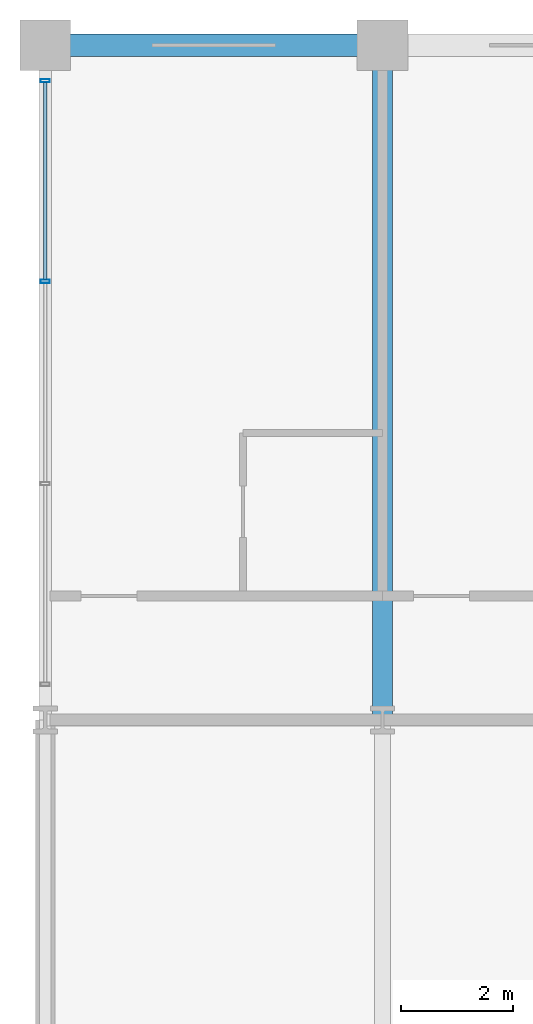
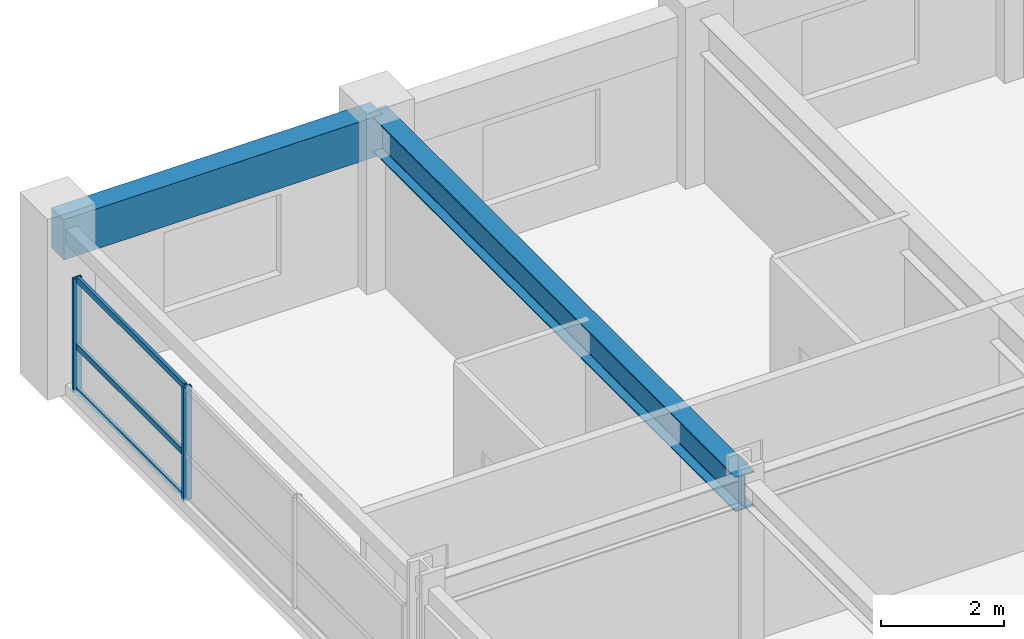
# One storey, part 10 of 24: 5 members, 2 beams, 1 element without a shape of its own.
"""IFC4 building model written with IfcOpenShell, lengths in metres."""

from ifc_helpers import new_model, si_unit, direction, frame, origin, origin_2d, place, context, subcontext, project, spatial, rectangle, hollow_rectangle, i_section, extrude, material, material_profile, profile_set, type_object, element, aggregate, save


model = new_model("IFC4")

# Units and contexts
model_context = context("Model", 3, precision=1e-05, world=origin(), true_north=direction((0.0, 1.0)))
body_context = subcontext(model_context, "Body", "Model", "MODEL_VIEW")
ifc_project = project(units=[si_unit("LENGTHUNIT", "METRE"), si_unit("AREAUNIT", "SQUARE_METRE"), si_unit("VOLUMEUNIT", "CUBIC_METRE"), si_unit("PLANEANGLEUNIT", "RADIAN"), si_unit("MASSUNIT", "GRAM", prefix="KILO")], contexts=[model_context])

# Site, building, storey
site_placement = place(None, origin())
site = spatial("IfcSite", under=ifc_project, at=site_placement, CompositionType="ELEMENT")
building_placement = place(site_placement, origin())
building = spatial("IfcBuilding", under=site, at=building_placement, Name="Kaldorvane Square Convention Centre", CompositionType="ELEMENT")
storey_placement = place(building_placement, frame((0.0, 0.0, 27.600006103515625)))
storey = spatial("IfcBuildingStorey", under=building, at=storey_placement, Name="L05", CompositionType="ELEMENT", Elevation=27.600006103515625)

# Beams
ifc_material_1 = material(Name="Steel ASTM A992 Gr. 50", Category="steel")
ifc_material_profile_1 = material_profile(ifc_material_1, i_section(OverallWidth=0.354705810546875, OverallDepth=0.69549560546875, WebThickness=0.0153961181640625, FlangeThickness=0.0251007080078125, FilletRadius=0.01519775390625, at=origin_2d()), Name="W27X146")
ifc_profile_set_1 = profile_set([ifc_material_profile_1], Name="Steel ASTM A992 Gr. 50")
beam_type_1 = type_object("IfcBeamType", Name="BM-GR-W27X146", PredefinedType="BEAM", material=ifc_profile_set_1)
beam_1_placement = place(storey_placement, frame((30.0, 105.0, 2.93829345703125), z_axis=(0.0, 1.0, 0.0), x_axis=(-1.0, 0.0, 0.0)))
element("IfcBeam", 1, at=beam_1_placement, inside=storey, type_object=beam_type_1, Name="Transverse Girder (L05)", PredefinedType="BEAM", context=body_context, shape_type="SweptSolid", body=[
    extrude(i_section(OverallWidth=0.354705810546875, OverallDepth=0.69549560546875, WebThickness=0.0153961181640625, FlangeThickness=0.0251007080078125, FilletRadius=0.01519775390625, at=origin_2d()), origin(), (0.0, 0.0, 1.0), 12.0),
])
ifc_material_2 = material(Name="Concrete f'c = 42 MPa (Normalweight)", Category="concrete")
ifc_material_profile_2 = material_profile(ifc_material_2, rectangle(XDim=0.399993896484375, YDim=0.8000030517578125, at=origin_2d()), Name="RCSP800X400")
ifc_profile_set_2 = profile_set([ifc_material_profile_2], Name="Concrete f'c = 42 MPa (Normalweight)")
beam_type_2 = type_object("IfcBeamType", Name="BM-SP-RC800", PredefinedType="SPANDREL", material=ifc_profile_set_2)
beam_2_placement = place(storey_placement, frame((24.0, 117.0, 2.885986328125), z_axis=(1.0, 0.0, 0.0), x_axis=(0.0, 1.0, 0.0)))
element("IfcBeam", 2, at=beam_2_placement, inside=storey, type_object=beam_type_2, Name="Perimeter Spandrel (L05)", PredefinedType="SPANDREL", context=body_context, shape_type="SweptSolid", body=[
    extrude(rectangle(XDim=0.399993896484375, YDim=0.8000030517578125, at=origin_2d()), origin(), (0.0, 0.0, 1.0), 6.0),
])

# Curtain wall, members
ifc_material_3 = material(Name="Anodized Aluminum and Low-E Insulated Glazing", Category="aluminium")
curtain_wall_type = type_object("IfcCurtainWallType", Name="CW-UNI-HTL-B", PredefinedType="USERDEFINED", material=ifc_material_3)
curtain_wall_placement = place(storey_placement, origin())
curtain_wall = element("IfcCurtainWall", 3, at=curtain_wall_placement, inside=storey, type_object=curtain_wall_type, Name="Curtain Wall CW-11 (L05)", ObjectType="UNITISED GLAZING", PredefinedType="USERDEFINED")
ifc_material_profile_3 = material_profile(ifc_material_3, hollow_rectangle(XDim=0.05999755859375, YDim=0.160003662109375, WallThickness=0.003204345703125, at=origin_2d()), Name="CWM-160X60")
ifc_profile_set_3 = profile_set([ifc_material_profile_3], Name="Anodized Aluminum and Low-E Insulated Glazing")
member_type_1 = type_object("IfcMemberType", Name="CW-MUL-160", PredefinedType="MULLION", material=ifc_profile_set_3)
member_1_placement = place(storey_placement, frame((24.0, 116.3699951171875, 0.149993896484375), z_axis=(0.0, 0.0, 1.0), x_axis=(0.0, -1.0, 0.0)))
member_1 = element("IfcMember", 4, at=member_1_placement, type_object=member_type_1, Name="CW-11 mullion 1", PredefinedType="MULLION", context=body_context, shape_type="SweptSolid", body=[
    extrude(hollow_rectangle(XDim=0.05999755859375, YDim=0.160003662109375, WallThickness=0.003204345703125, at=origin_2d()), origin(), (0.0, 0.0, 1.0), 2.2599945068359375),
])
member_2_placement = place(storey_placement, frame((24.0, 112.80000305175781, 0.149993896484375), z_axis=(0.0, 0.0, 1.0), x_axis=(0.0, -1.0, 0.0)))
member_2 = element("IfcMember", 5, at=member_2_placement, type_object=member_type_1, Name="CW-11 mullion 2", PredefinedType="MULLION", context=body_context, shape_type="SweptSolid", body=[
    extrude(hollow_rectangle(XDim=0.05999755859375, YDim=0.160003662109375, WallThickness=0.003204345703125, at=origin_2d()), origin(), (0.0, 0.0, 1.0), 2.2599945068359375),
])
ifc_material_profile_4 = material_profile(ifc_material_3, hollow_rectangle(XDim=0.05499267578125, YDim=0.1199951171875, WallThickness=0.0030059814453125, at=origin_2d()), Name="CWT-120X55")
ifc_profile_set_4 = profile_set([ifc_material_profile_4], Name="Anodized Aluminum and Low-E Insulated Glazing")
member_type_2 = type_object("IfcMemberType", Name="CW-TRN-120", PredefinedType="USERDEFINED", material=ifc_profile_set_4)
member_3_placement = place(storey_placement, frame((24.0, 116.33999633789062, 0.177490234375), z_axis=(0.0, -1.0, 0.0), x_axis=(1.0, 0.0, 0.0)))
member_3 = element("IfcMember", 6, at=member_3_placement, type_object=member_type_2, Name="CW-11 transom 1.1", ObjectType="TRANSOM", PredefinedType="USERDEFINED", context=body_context, shape_type="SweptSolid", body=[
    extrude(hollow_rectangle(XDim=0.05499267578125, YDim=0.1199951171875, WallThickness=0.0030059814453125, at=origin_2d()), origin(), (0.0, 0.0, 1.0), 3.5099945068359375),
])
member_4_placement = place(storey_placement, frame((24.0, 116.33999633789062, 1.04998779296875), z_axis=(0.0, -1.0, 0.0), x_axis=(1.0, 0.0, 0.0)))
member_4 = element("IfcMember", 7, at=member_4_placement, type_object=member_type_2, Name="CW-11 transom 1.2", ObjectType="TRANSOM", PredefinedType="USERDEFINED", context=body_context, shape_type="SweptSolid", body=[
    extrude(hollow_rectangle(XDim=0.05499267578125, YDim=0.1199951171875, WallThickness=0.0030059814453125, at=origin_2d()), origin(), (0.0, 0.0, 1.0), 3.5099945068359375),
])
member_5_placement = place(storey_placement, frame((24.0, 116.33999633789062, 2.3824920654296875), z_axis=(0.0, -1.0, 0.0), x_axis=(1.0, 0.0, 0.0)))
member_5 = element("IfcMember", 8, at=member_5_placement, type_object=member_type_2, Name="CW-11 transom 1.3", ObjectType="TRANSOM", PredefinedType="USERDEFINED", context=body_context, shape_type="SweptSolid", body=[
    extrude(hollow_rectangle(XDim=0.05499267578125, YDim=0.1199951171875, WallThickness=0.0030059814453125, at=origin_2d()), origin(), (0.0, 0.0, 1.0), 3.5099945068359375),
])
aggregate(curtain_wall, [member_1, member_2, member_3, member_4, member_5])

save(model, "model.ifc")
